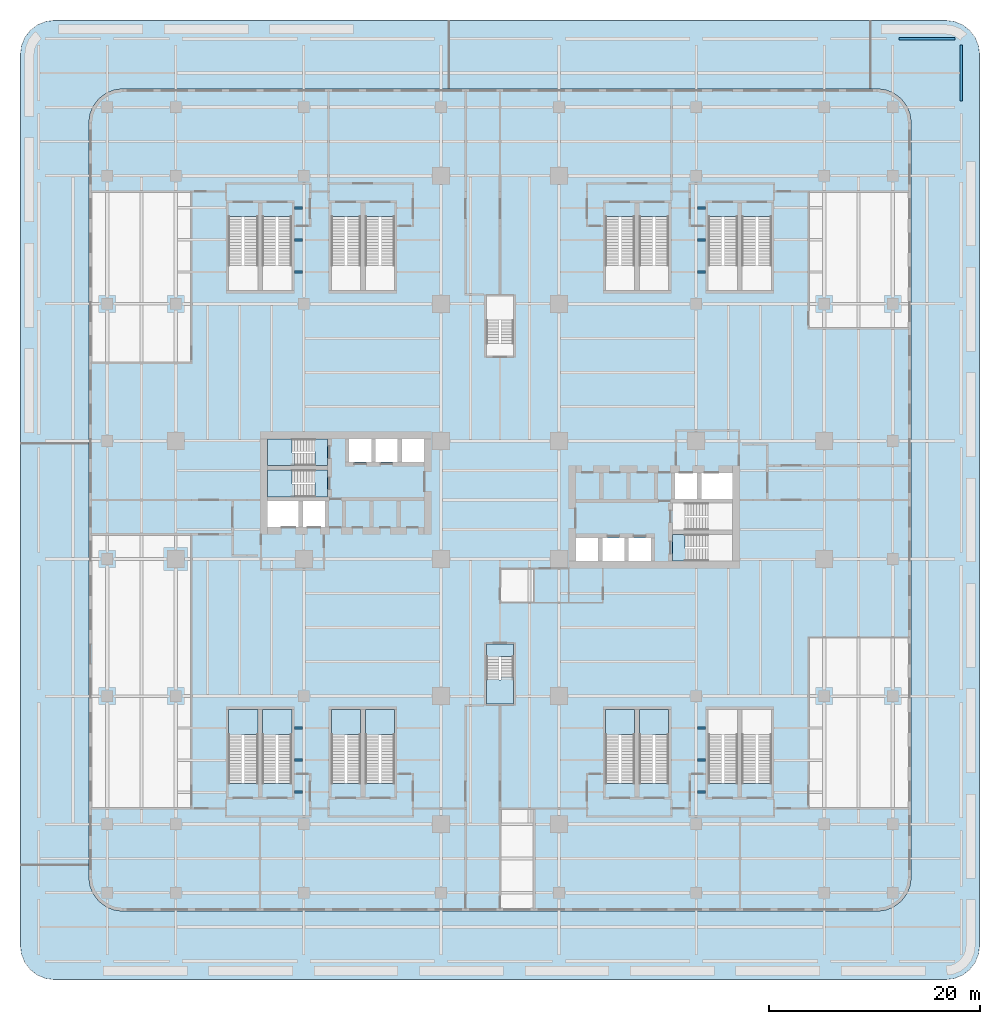
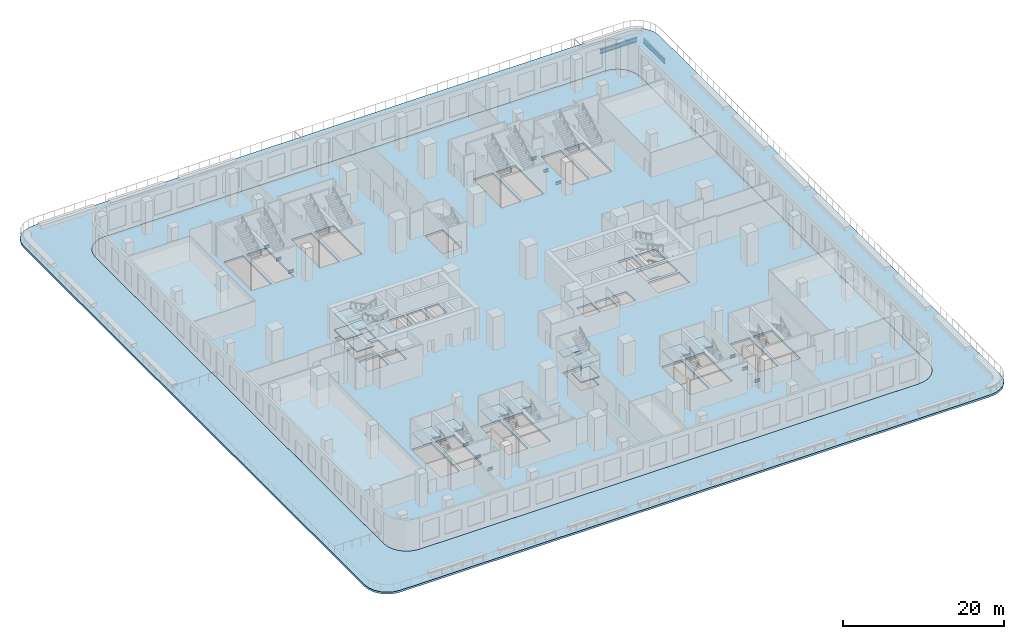
# One storey, part 4 of 18: 18 slabs, 14 beams, 10 elements without a shape of their own.
"""IFC4 building model written with IfcOpenShell, lengths in metres."""

from ifc_helpers import new_model, si_unit, direction, frame, origin, origin_2d, place, context, subcontext, project, spatial, polyline, i_section, outline, extrude, source, transform, mapped, material, layer, layer_set, material_profile, profile_set, type_object, element, aggregate, save


model = new_model("IFC4")

# Units and contexts
model_context = context("Model", 3, precision=1e-05, world=origin(), true_north=direction((0.0, 1.0)))
body_context = subcontext(model_context, "Body", "Model", "MODEL_VIEW")
ifc_project = project(units=[si_unit("LENGTHUNIT", "METRE"), si_unit("AREAUNIT", "SQUARE_METRE"), si_unit("VOLUMEUNIT", "CUBIC_METRE"), si_unit("PLANEANGLEUNIT", "RADIAN"), si_unit("MASSUNIT", "GRAM", prefix="KILO")], contexts=[model_context])

# Site, building, storey
site_placement = place(None, origin())
site = spatial("IfcSite", under=ifc_project, at=site_placement, CompositionType="ELEMENT")
building_placement = place(site_placement, origin())
building = spatial("IfcBuilding", under=site, at=building_placement, Name="Trellis Farm Tower", CompositionType="ELEMENT")
storey_placement = place(building_placement, frame((0.0, 0.0, 14.0)))
storey = spatial("IfcBuildingStorey", under=building, at=storey_placement, Name="L02", CompositionType="ELEMENT", Elevation=14.0)

# Beams
ifc_material_1 = material(Name="Steel S355", Category="steel")
ifc_material_profile_1 = material_profile(ifc_material_1, i_section(OverallWidth=0.253662109375, OverallDepth=0.68359375, WebThickness=0.012451171875, FlangeThickness=0.021728515625, FilletRadius=0.01513671875, at=origin_2d()), Name="UB 686x254x140")
ifc_profile_set_1 = profile_set([ifc_material_profile_1], Name="Steel S355")
beam_type_1 = type_object("IfcBeamType", Name="UB 686x254x140", PredefinedType="BEAM", material=ifc_profile_set_1)
shared_shape_1 = source(origin(), body_context, "Body", "SweptSolid", [
    extrude(i_section(OverallWidth=0.253662109375, OverallDepth=0.68359375, WebThickness=0.012451171875, FlangeThickness=0.021728515625, FilletRadius=0.01513671875, at=origin_2d()), origin(), (0.0, 0.0, 1.0), 5.2998046875),
])
for number, where, z_axis, x_axis, name in (
    (1, (37.85009765625, 43.75, -0.641845703125), (1.0, 0.0, 0.0), (0.0, 1.0, 0.0), "Girder"),
    (2, (43.75, 37.85009765625, -0.641845703125), (0.0, 1.0, 0.0), (-1.0, 0.0, 0.0), "Girder"),
):
    element("IfcBeam", number, at=place(storey_placement, frame(where, z_axis=z_axis, x_axis=x_axis)), inside=storey, type_object=beam_type_1, Name=name, PredefinedType="BEAM", context=body_context, shape_type="MappedRepresentation", body=[
        mapped(shared_shape_1, transform((0.0, 0.0, 0.0))),
    ])
ifc_material_profile_2 = material_profile(ifc_material_1, i_section(OverallWidth=0.1904296875, OverallDepth=0.45703125, WebThickness=0.009033203125, FlangeThickness=0.014404296875, FilletRadius=0.01025390625, at=origin_2d()), Name="UB 457x191x74")
ifc_profile_set_2 = profile_set([ifc_material_profile_2], Name="Steel S355")
beam_type_2 = type_object("IfcBeamType", Name="UB 457x191x74 joist", PredefinedType="JOIST", material=ifc_profile_set_2)
shared_shape_2 = source(origin(), body_context, "Body", "SweptSolid", [
    extrude(i_section(OverallWidth=0.1904296875, OverallDepth=0.45703125, WebThickness=0.009033203125, FlangeThickness=0.014404296875, FilletRadius=0.01025390625, at=origin_2d()), origin(), (0.0, 0.0, 1.0), 0.75390625),
])
for number, where, z_axis, x_axis, name in (
    (3, (-19.5, -27.71240234375, -0.528564453125), (1.0, 0.0, 0.0), (0.0, 1.0, 0.0), "Floor beam"),
    (4, (18.74609375, -27.71240234375, -0.528564453125), (1.0, 0.0, 0.0), (0.0, 1.0, 0.0), "Floor beam"),
    (5, (-19.5, -24.675048828125, -0.528564453125), (1.0, 0.0, 0.0), (0.0, 1.0, 0.0), "Floor beam"),
    (6, (18.74609375, -24.675048828125, -0.528564453125), (1.0, 0.0, 0.0), (0.0, 1.0, 0.0), "Floor beam"),
    (7, (-19.5, -21.637451171875, -0.528564453125), (1.0, 0.0, 0.0), (0.0, 1.0, 0.0), "Floor beam"),
    (8, (18.74609375, -21.637451171875, -0.528564453125), (1.0, 0.0, 0.0), (0.0, 1.0, 0.0), "Floor beam"),
    (9, (-19.5, 21.637451171875, -0.528564453125), (1.0, 0.0, 0.0), (0.0, 1.0, 0.0), "Floor beam"),
    (10, (18.74609375, 21.637451171875, -0.528564453125), (1.0, 0.0, 0.0), (0.0, 1.0, 0.0), "Floor beam"),
    (11, (-19.5, 24.675048828125, -0.528564453125), (1.0, 0.0, 0.0), (0.0, 1.0, 0.0), "Floor beam"),
    (12, (18.74609375, 24.675048828125, -0.528564453125), (1.0, 0.0, 0.0), (0.0, 1.0, 0.0), "Floor beam"),
    (13, (-19.5, 27.71240234375, -0.528564453125), (1.0, 0.0, 0.0), (0.0, 1.0, 0.0), "Floor beam"),
    (14, (18.74609375, 27.71240234375, -0.528564453125), (1.0, 0.0, 0.0), (0.0, 1.0, 0.0), "Floor beam"),
):
    element("IfcBeam", number, at=place(storey_placement, frame(where, z_axis=z_axis, x_axis=x_axis)), inside=storey, type_object=beam_type_2, Name=name, PredefinedType="JOIST", context=body_context, shape_type="MappedRepresentation", body=[
        mapped(shared_shape_2, transform((0.0, 0.0, 0.0))),
    ])

# Slabs
ifc_material_2 = material(Name="Concrete C40/50", Category="concrete")
ifc_layer_1 = layer(ifc_material_2, 0.300048828125)
ifc_layer_set_1 = layer_set([ifc_layer_1], Name="Terrace slab on composite deck 300")
slab_type_1 = type_object("IfcSlabType", Name="Terrace slab on composite deck 300", PredefinedType="FLOOR", material=ifc_layer_set_1)
placement_1 = place(storey_placement, frame((0.0, 0.0, -0.300048828125)))
element("IfcSlab", 15, at=placement_1, inside=storey, type_object=slab_type_1, Name="Terrace slab", PredefinedType="FLOOR", context=body_context, shape_type="SweptSolid", body=[
    extrude(outline(polyline([(45.0771484375, -43.844482421875), (45.04443359375, -43.901123046875), (44.568115234375, -44.52197265625), (44.52197265625, -44.568115234375), (43.901123046875, -45.04443359375), (43.844482421875, -45.0771484375), (43.12158203125, -45.376708984375), (43.05859375, -45.3935546875), (42.26611328125, -45.497802734375), (42.233642578125, -45.5), (-42.233642578125, -45.5), (-42.26611328125, -45.497802734375), (-43.05859375, -45.3935546875), (-43.12158203125, -45.376708984375), (-43.844482421875, -45.0771484375), (-43.901123046875, -45.04443359375), (-44.52197265625, -44.568115234375), (-44.568115234375, -44.52197265625), (-45.04443359375, -43.901123046875), (-45.0771484375, -43.844482421875), (-45.376708984375, -43.12158203125), (-45.3935546875, -43.05859375), (-45.497802734375, -42.26611328125), (-45.5, -42.233642578125), (-45.5, 42.233642578125), (-45.497802734375, 42.26611328125), (-45.3935546875, 43.05859375), (-45.376708984375, 43.12158203125), (-45.0771484375, 43.844482421875), (-45.04443359375, 43.901123046875), (-44.568115234375, 44.52197265625), (-44.52197265625, 44.568115234375), (-43.901123046875, 45.04443359375), (-43.844482421875, 45.0771484375), (-43.12158203125, 45.376708984375), (-43.05859375, 45.3935546875), (-42.26611328125, 45.497802734375), (-42.233642578125, 45.5), (42.233642578125, 45.5), (42.26611328125, 45.497802734375), (43.05859375, 45.3935546875), (43.12158203125, 45.376708984375), (43.844482421875, 45.0771484375), (43.901123046875, 45.04443359375), (44.52197265625, 44.568115234375), (44.568115234375, 44.52197265625), (45.04443359375, 43.901123046875), (45.0771484375, 43.844482421875), (45.376708984375, 43.12158203125), (45.3935546875, 43.05859375), (45.497802734375, 42.26611328125), (45.5, 42.233642578125), (45.5, -42.233642578125), (45.497802734375, -42.26611328125), (45.3935546875, -43.05859375), (45.376708984375, -43.12158203125), (45.0771484375, -43.844482421875)]), holes=[polyline([(38.889892578125, 36.59130859375), (38.565185546875, 37.375244140625), (38.048583984375, 38.048583984375), (37.375244140625, 38.565185546875), (36.59130859375, 38.889892578125), (35.75, 39.00048828125), (-35.75, 39.00048828125), (-36.59130859375, 38.889892578125), (-37.375244140625, 38.565185546875), (-38.048583984375, 38.048583984375), (-38.565185546875, 37.375244140625), (-38.889892578125, 36.59130859375), (-39.00048828125, 35.75), (-39.00048828125, -35.75), (-38.889892578125, -36.59130859375), (-38.565185546875, -37.375244140625), (-38.048583984375, -38.048583984375), (-37.375244140625, -38.565185546875), (-36.59130859375, -38.889892578125), (-35.75, -39.00048828125), (35.75, -39.00048828125), (36.59130859375, -38.889892578125), (37.375244140625, -38.565185546875), (38.048583984375, -38.048583984375), (38.565185546875, -37.375244140625), (38.889892578125, -36.59130859375), (39.00048828125, -35.75), (39.00048828125, 35.75), (38.889892578125, 36.59130859375)])]), origin(), (0.0, 0.0, 1.0), 0.300048828125),
])
ifc_layer_2 = layer(ifc_material_2, 0.300048828125)
ifc_layer_set_2 = layer_set([ifc_layer_2], Name="Composite deck floor slab 300")
slab_type_2 = type_object("IfcSlabType", Name="Composite deck floor slab 300", PredefinedType="FLOOR", material=ifc_layer_set_2)
shared_shape_3 = source(origin(), body_context, "Body", "SweptSolid", [
    extrude(outline(polyline([(38.889404296875, -36.59130859375), (38.564697265625, -37.375), (38.048095703125, -38.048095703125), (37.375, -38.564697265625), (36.59130859375, -38.889404296875), (35.75, -39.0), (-35.75, -39.0), (-36.59130859375, -38.889404296875), (-37.375, -38.564697265625), (-38.048095703125, -38.048095703125), (-38.564697265625, -37.375), (-38.889404296875, -36.59130859375), (-39.0, -35.75), (-39.0, 35.75), (-38.889404296875, 36.59130859375), (-38.564697265625, 37.375), (-38.048095703125, 38.048095703125), (-37.375, 38.564697265625), (-36.59130859375, 38.889404296875), (-35.75, 39.0), (35.75, 39.0), (36.59130859375, 38.889404296875), (37.375, 38.564697265625), (38.048095703125, 38.048095703125), (38.564697265625, 37.375), (38.889404296875, 36.59130859375), (39.0, 35.75), (39.0, -35.75), (38.889404296875, -36.59130859375)]), holes=[polyline([(-24.219970703125, -26.89990234375), (-24.219970703125, -26.887939453125), (-22.969970703125, -26.887939453125), (-22.969970703125, -19.85009765625), (-25.75, -19.85009765625), (-25.75, -26.889892578125), (-24.5, -26.889892578125), (-24.5, -26.89990234375), (-24.219970703125, -26.89990234375)]), polyline([(-21.0, -26.89990234375), (-21.0, -26.887939453125), (-19.75, -26.887939453125), (-19.75, -19.85009765625), (-22.530029296875, -19.85009765625), (-22.530029296875, -26.889892578125), (-21.280029296875, -26.889892578125), (-21.280029296875, -26.89990234375), (-21.0, -26.89990234375)]), polyline([(-14.469970703125, -26.89990234375), (-14.469970703125, -26.887939453125), (-13.219970703125, -26.887939453125), (-13.219970703125, -19.85009765625), (-16.0, -19.85009765625), (-16.0, -26.889892578125), (-14.75, -26.889892578125), (-14.75, -26.89990234375), (-14.469970703125, -26.89990234375)]), polyline([(-11.25, -26.89990234375), (-11.25, -26.887939453125), (-10.0, -26.887939453125), (-10.0, -19.85009765625), (-12.780029296875, -19.85009765625), (-12.780029296875, -26.889892578125), (-11.530029296875, -26.889892578125), (-11.530029296875, -26.89990234375), (-11.25, -26.89990234375)]), polyline([(-0.10009765625, -14.85009765625), (-0.10009765625, -14.862060546875), (-1.300048828125, -14.862060546875), (-1.300048828125, -19.35009765625), (1.300048828125, -19.35009765625), (1.300048828125, -14.860107421875), (0.10009765625, -14.860107421875), (0.10009765625, -14.85009765625), (-0.10009765625, -14.85009765625)]), polyline([(-19.10009765625, -0.10009765625), (-22.050048828125, -0.10009765625), (-22.050048828125, -2.550048828125), (-19.10009765625, -2.550048828125), (-19.10009765625, -0.10009765625)]), polyline([(-16.60009765625, -0.10009765625), (-18.699951171875, -0.10009765625), (-18.699951171875, -2.550048828125), (-16.60009765625, -2.550048828125), (-16.60009765625, -0.10009765625)]), polyline([(-17.550048828125, 1.64990234375), (-17.56201171875, 1.64990234375), (-17.56201171875, 2.85009765625), (-22.050048828125, 2.85009765625), (-22.050048828125, 0.300048828125), (-17.56005859375, 0.300048828125), (-17.56005859375, 1.5), (-17.550048828125, 1.5), (-17.550048828125, 1.64990234375)]), polyline([(-17.550048828125, 4.60009765625), (-17.56201171875, 4.60009765625), (-17.56201171875, 5.800048828125), (-22.050048828125, 5.800048828125), (-22.050048828125, 3.25), (-17.56005859375, 3.25), (-17.56005859375, 4.449951171875), (-17.550048828125, 4.449951171875), (-17.550048828125, 4.60009765625)]), polyline([(-12.199951171875, 5.800048828125), (-14.300048828125, 5.800048828125), (-14.300048828125, 3.60009765625), (-12.199951171875, 3.60009765625), (-12.199951171875, 5.800048828125)]), polyline([(-9.699951171875, 5.800048828125), (-11.800048828125, 5.800048828125), (-11.800048828125, 3.60009765625), (-9.699951171875, 3.60009765625), (-9.699951171875, 5.800048828125)]), polyline([(-7.199951171875, 5.800048828125), (-9.300048828125, 5.800048828125), (-9.300048828125, 3.60009765625), (-7.199951171875, 3.60009765625), (-7.199951171875, 5.800048828125)]), polyline([(-24.5, 26.89990234375), (-24.5, 26.887939453125), (-25.75, 26.887939453125), (-25.75, 19.85009765625), (-22.969970703125, 19.85009765625), (-22.969970703125, 26.889892578125), (-24.219970703125, 26.889892578125), (-24.219970703125, 26.89990234375), (-24.5, 26.89990234375)]), polyline([(-21.280029296875, 26.89990234375), (-21.280029296875, 26.887939453125), (-22.530029296875, 26.887939453125), (-22.530029296875, 19.85009765625), (-19.75, 19.85009765625), (-19.75, 26.889892578125), (-21.0, 26.889892578125), (-21.0, 26.89990234375), (-21.280029296875, 26.89990234375)]), polyline([(-14.75, 26.89990234375), (-14.75, 26.887939453125), (-16.0, 26.887939453125), (-16.0, 19.85009765625), (-13.219970703125, 19.85009765625), (-13.219970703125, 26.889892578125), (-14.469970703125, 26.889892578125), (-14.469970703125, 26.89990234375), (-14.75, 26.89990234375)]), polyline([(-11.530029296875, 26.89990234375), (-11.530029296875, 26.887939453125), (-12.780029296875, 26.887939453125), (-12.780029296875, 19.85009765625), (-10.0, 19.85009765625), (-10.0, 26.889892578125), (-11.25, 26.889892578125), (-11.25, 26.89990234375), (-11.530029296875, 26.89990234375)]), polyline([(11.530029296875, -26.89990234375), (11.530029296875, -26.887939453125), (12.780029296875, -26.887939453125), (12.780029296875, -19.85009765625), (10.0, -19.85009765625), (10.0, -26.889892578125), (11.25, -26.889892578125), (11.25, -26.89990234375), (11.530029296875, -26.89990234375)]), polyline([(14.75, -26.89990234375), (14.75, -26.887939453125), (16.0, -26.887939453125), (16.0, -19.85009765625), (13.219970703125, -19.85009765625), (13.219970703125, -26.889892578125), (14.469970703125, -26.889892578125), (14.469970703125, -26.89990234375), (14.75, -26.89990234375)]), polyline([(21.280029296875, -26.89990234375), (21.280029296875, -26.887939453125), (22.530029296875, -26.887939453125), (22.530029296875, -19.85009765625), (19.75, -19.85009765625), (19.75, -26.889892578125), (21.0, -26.889892578125), (21.0, -26.89990234375), (21.280029296875, -26.89990234375)]), polyline([(24.5, -26.89990234375), (24.5, -26.887939453125), (25.75, -26.887939453125), (25.75, -19.85009765625), (22.969970703125, -19.85009765625), (22.969970703125, -26.889892578125), (24.219970703125, -26.889892578125), (24.219970703125, -26.89990234375), (24.5, -26.89990234375)]), polyline([(7.199951171875, -5.800048828125), (9.300048828125, -5.800048828125), (9.300048828125, -3.60009765625), (7.199951171875, -3.60009765625), (7.199951171875, -5.800048828125)]), polyline([(9.699951171875, -5.800048828125), (11.800048828125, -5.800048828125), (11.800048828125, -3.60009765625), (9.699951171875, -3.60009765625), (9.699951171875, -5.800048828125)]), polyline([(12.199951171875, -5.800048828125), (14.300048828125, -5.800048828125), (14.300048828125, -3.60009765625), (12.199951171875, -3.60009765625), (12.199951171875, -5.800048828125)]), polyline([(17.550048828125, -4.60009765625), (17.56201171875, -4.60009765625), (17.56201171875, -5.800048828125), (22.050048828125, -5.800048828125), (22.050048828125, -3.25), (17.56005859375, -3.25), (17.56005859375, -4.449951171875), (17.550048828125, -4.449951171875), (17.550048828125, -4.60009765625)]), polyline([(17.550048828125, -1.64990234375), (17.56201171875, -1.64990234375), (17.56201171875, -2.85009765625), (22.050048828125, -2.85009765625), (22.050048828125, -0.300048828125), (17.56005859375, -0.300048828125), (17.56005859375, -1.5), (17.550048828125, -1.5), (17.550048828125, -1.64990234375)]), polyline([(16.60009765625, 0.10009765625), (18.699951171875, 0.10009765625), (18.699951171875, 2.550048828125), (16.60009765625, 2.550048828125), (16.60009765625, 0.10009765625)]), polyline([(19.10009765625, 0.10009765625), (22.050048828125, 0.10009765625), (22.050048828125, 2.550048828125), (19.10009765625, 2.550048828125), (19.10009765625, 0.10009765625)]), polyline([(0.10009765625, 14.85009765625), (0.10009765625, 14.862060546875), (1.300048828125, 14.862060546875), (1.300048828125, 19.35009765625), (-1.300048828125, 19.35009765625), (-1.300048828125, 14.860107421875), (-0.10009765625, 14.860107421875), (-0.10009765625, 14.85009765625), (0.10009765625, 14.85009765625)]), polyline([(11.25, 26.89990234375), (11.25, 26.887939453125), (10.0, 26.887939453125), (10.0, 19.85009765625), (12.780029296875, 19.85009765625), (12.780029296875, 26.889892578125), (11.530029296875, 26.889892578125), (11.530029296875, 26.89990234375), (11.25, 26.89990234375)]), polyline([(14.469970703125, 26.89990234375), (14.469970703125, 26.887939453125), (13.219970703125, 26.887939453125), (13.219970703125, 19.85009765625), (16.0, 19.85009765625), (16.0, 26.889892578125), (14.75, 26.889892578125), (14.75, 26.89990234375), (14.469970703125, 26.89990234375)]), polyline([(21.0, 26.89990234375), (21.0, 26.887939453125), (19.75, 26.887939453125), (19.75, 19.85009765625), (22.530029296875, 19.85009765625), (22.530029296875, 26.889892578125), (21.280029296875, 26.889892578125), (21.280029296875, 26.89990234375), (21.0, 26.89990234375)]), polyline([(24.219970703125, 26.89990234375), (24.219970703125, 26.887939453125), (22.969970703125, 26.887939453125), (22.969970703125, 19.85009765625), (25.75, 19.85009765625), (25.75, 26.889892578125), (24.5, 26.889892578125), (24.5, 26.89990234375), (24.219970703125, 26.89990234375)])]), origin(), (0.0, 0.0, 1.0), 0.300048828125),
])
element("IfcSlab", 16, at=placement_1, inside=storey, type_object=slab_type_2, Name="Floor slab", PredefinedType="FLOOR", context=body_context, shape_type="MappedRepresentation", body=[
    mapped(shared_shape_3, transform((0.0, 0.0, 0.0))),
])

# Stair, slabs
ifc_material_3 = material(Name="Concrete C50/60", Category="concrete")
stair_type_1 = type_object("IfcStairType", Name="CORE EXIT STAIR 36 RISERS 139 MM", PredefinedType="HALF_TURN_STAIR", material=ifc_material_3)
placement_2 = place(storey_placement, origin())
stair_1 = element("IfcStair", 17, at=placement_2, inside=storey, type_object=stair_type_1, Name="Exit stair S", PredefinedType="HALF_TURN_STAIR")
ifc_layer_3 = layer(ifc_material_3, 0.14990234375)
ifc_layer_set_3 = layer_set([ifc_layer_3], Name="CORE STAIR LANDING 150 CONCRETE C50/60")
slab_type_3 = type_object("IfcSlabType", Name="CORE STAIR LANDING 150 CONCRETE C50/60", PredefinedType="LANDING", material=ifc_layer_set_3)
shared_shape_4 = source(origin(), body_context, "Body", "SweptSolid", [
    extrude(outline(polyline([(1.300048828125, -19.35009765625), (-1.300048828125, -19.35009765625), (-1.300048828125, -17.050048828125), (-1.300048828125, -17.0400390625), (-0.10009765625, -17.0400390625), (-0.10009765625, -17.050048828125), (0.10009765625, -17.050048828125), (0.10009765625, -16.79052734375), (1.300048828125, -16.79052734375), (1.300048828125, -17.050048828125), (1.300048828125, -19.35009765625)])), origin(), (0.0, 0.0, 1.0), 0.14990234375),
])
placement_3 = place(storey_placement, frame((0.0, 0.0, 1.10009765625)))
slab_3 = element("IfcSlab", 18, at=placement_3, type_object=slab_type_3, Name="STS landing 1", PredefinedType="LANDING", context=body_context, shape_type="MappedRepresentation", body=[
    mapped(shared_shape_4, transform((0.0, 0.0, 0.0))),
])
placement_4 = place(storey_placement, frame((0.0, 0.0, 3.60009765625)))
slab_4 = element("IfcSlab", 19, at=placement_4, type_object=slab_type_3, Name="STS landing 3", PredefinedType="LANDING", context=body_context, shape_type="MappedRepresentation", body=[
    mapped(shared_shape_4, transform((0.0, 0.0, 0.0))),
])
shared_shape_5 = source(origin(), body_context, "Body", "SweptSolid", [
    extrude(outline(polyline([(-0.10009765625, -15.109375), (-1.300048828125, -15.109375), (-1.300048828125, -14.85009765625), (-1.300048828125, -13.64990234375), (1.300048828125, -13.64990234375), (1.300048828125, -14.85009765625), (1.300048828125, -14.860107421875), (0.10009765625, -14.860107421875), (0.10009765625, -14.85009765625), (-0.10009765625, -14.85009765625), (-0.10009765625, -15.109375)])), origin(), (0.0, 0.0, 1.0), 0.14990234375),
])
placement_5 = place(storey_placement, frame((0.0, 0.0, 2.35009765625)))
slab_5 = element("IfcSlab", 20, at=placement_5, type_object=slab_type_3, Name="STS landing 2", PredefinedType="LANDING", context=body_context, shape_type="MappedRepresentation", body=[
    mapped(shared_shape_5, transform((0.0, 0.0, 0.0))),
])
aggregate(stair_1, [slab_3, slab_5, slab_4])

# Stair, slab
stair_2 = element("IfcStair", 21, at=placement_2, inside=storey, type_object=stair_type_1, Name="Exit stair E1", PredefinedType="HALF_TURN_STAIR")
shared_shape_6 = source(origin(), body_context, "Body", "SweptSolid", [
    extrude(outline(polyline([(17.809326171875, -4.60009765625), (17.809326171875, -5.800048828125), (17.550048828125, -5.800048828125), (16.35009765625, -5.800048828125), (16.35009765625, -3.25), (17.550048828125, -3.25), (17.56005859375, -3.25), (17.56005859375, -4.449951171875), (17.550048828125, -4.449951171875), (17.550048828125, -4.60009765625), (17.809326171875, -4.60009765625)])), origin(), (0.0, 0.0, 1.0), 0.14990234375),
])
slab_6 = element("IfcSlab", 22, at=placement_5, type_object=slab_type_3, Name="STE1 landing 2", PredefinedType="LANDING", context=body_context, shape_type="MappedRepresentation", body=[
    mapped(shared_shape_6, transform((0.0, 0.0, 0.0))),
])
aggregate(stair_2, [slab_6])

stair_type_2 = type_object("IfcStairType", Name="PODIUM EXIT STAIR 36 RISERS 139 MM 1250 WIDE", PredefinedType="HALF_TURN_STAIR", material=ifc_material_3)
stair_3 = element("IfcStair", 23, at=placement_2, inside=storey, type_object=stair_type_2, Name="Podium exit stair STP5A", PredefinedType="HALF_TURN_STAIR")
shared_shape_7 = source(origin(), body_context, "Body", "SweptSolid", [
    extrude(outline(polyline([(-24.5, -22.793701171875), (-25.75, -22.793701171875), (-25.75, -22.22509765625), (-25.75, -19.85009765625), (-22.969970703125, -19.85009765625), (-22.969970703125, -22.22509765625), (-22.969970703125, -22.235107421875), (-24.219970703125, -22.235107421875), (-24.219970703125, -22.22509765625), (-24.5, -22.22509765625), (-24.5, -22.793701171875)])), origin(), (0.0, 0.0, 1.0), 0.14990234375),
])
slab_7 = element("IfcSlab", 24, at=placement_5, type_object=slab_type_3, Name="STP5A landing 1", PredefinedType="LANDING", context=body_context, shape_type="MappedRepresentation", body=[
    mapped(shared_shape_7, transform((0.0, 0.0, 0.0))),
])
aggregate(stair_3, [slab_7])

stair_4 = element("IfcStair", 25, at=placement_2, inside=storey, type_object=stair_type_2, Name="Podium exit stair STP5B", PredefinedType="HALF_TURN_STAIR")
shared_shape_8 = source(origin(), body_context, "Body", "SweptSolid", [
    extrude(outline(polyline([(-21.280029296875, -22.793701171875), (-22.530029296875, -22.793701171875), (-22.530029296875, -22.22509765625), (-22.530029296875, -19.85009765625), (-19.75, -19.85009765625), (-19.75, -22.22509765625), (-19.75, -22.235107421875), (-21.0, -22.235107421875), (-21.0, -22.22509765625), (-21.280029296875, -22.22509765625), (-21.280029296875, -22.793701171875)])), origin(), (0.0, 0.0, 1.0), 0.14990234375),
])
slab_8 = element("IfcSlab", 26, at=placement_5, type_object=slab_type_3, Name="STP5B landing 1", PredefinedType="LANDING", context=body_context, shape_type="MappedRepresentation", body=[
    mapped(shared_shape_8, transform((0.0, 0.0, 0.0))),
])
aggregate(stair_4, [slab_8])

stair_5 = element("IfcStair", 27, at=placement_2, inside=storey, type_object=stair_type_2, Name="Podium exit stair STP6A", PredefinedType="HALF_TURN_STAIR")
shared_shape_9 = source(origin(), body_context, "Body", "SweptSolid", [
    extrude(outline(polyline([(-14.75, -22.793701171875), (-16.0, -22.793701171875), (-16.0, -22.22509765625), (-16.0, -19.85009765625), (-13.219970703125, -19.85009765625), (-13.219970703125, -22.22509765625), (-13.219970703125, -22.235107421875), (-14.469970703125, -22.235107421875), (-14.469970703125, -22.22509765625), (-14.75, -22.22509765625), (-14.75, -22.793701171875)])), origin(), (0.0, 0.0, 1.0), 0.14990234375),
])
slab_9 = element("IfcSlab", 28, at=placement_5, type_object=slab_type_3, Name="STP6A landing 1", PredefinedType="LANDING", context=body_context, shape_type="MappedRepresentation", body=[
    mapped(shared_shape_9, transform((0.0, 0.0, 0.0))),
])
aggregate(stair_5, [slab_9])

stair_6 = element("IfcStair", 29, at=placement_2, inside=storey, type_object=stair_type_2, Name="Podium exit stair STP6B", PredefinedType="HALF_TURN_STAIR")
shared_shape_10 = source(origin(), body_context, "Body", "SweptSolid", [
    extrude(outline(polyline([(-11.530029296875, -22.793701171875), (-12.780029296875, -22.793701171875), (-12.780029296875, -22.22509765625), (-12.780029296875, -19.85009765625), (-10.0, -19.85009765625), (-10.0, -22.22509765625), (-10.0, -22.235107421875), (-11.25, -22.235107421875), (-11.25, -22.22509765625), (-11.530029296875, -22.22509765625), (-11.530029296875, -22.793701171875)])), origin(), (0.0, 0.0, 1.0), 0.14990234375),
])
slab_10 = element("IfcSlab", 30, at=placement_5, type_object=slab_type_3, Name="STP6B landing 1", PredefinedType="LANDING", context=body_context, shape_type="MappedRepresentation", body=[
    mapped(shared_shape_10, transform((0.0, 0.0, 0.0))),
])
aggregate(stair_6, [slab_10])

stair_7 = element("IfcStair", 31, at=placement_2, inside=storey, type_object=stair_type_2, Name="Podium exit stair STP7A", PredefinedType="HALF_TURN_STAIR")
shared_shape_11 = source(origin(), body_context, "Body", "SweptSolid", [
    extrude(outline(polyline([(11.25, -22.793701171875), (10.0, -22.793701171875), (10.0, -22.22509765625), (10.0, -19.85009765625), (12.780029296875, -19.85009765625), (12.780029296875, -22.22509765625), (12.780029296875, -22.235107421875), (11.530029296875, -22.235107421875), (11.530029296875, -22.22509765625), (11.25, -22.22509765625), (11.25, -22.793701171875)])), origin(), (0.0, 0.0, 1.0), 0.14990234375),
])
slab_11 = element("IfcSlab", 32, at=placement_5, type_object=slab_type_3, Name="STP7A landing 1", PredefinedType="LANDING", context=body_context, shape_type="MappedRepresentation", body=[
    mapped(shared_shape_11, transform((0.0, 0.0, 0.0))),
])
aggregate(stair_7, [slab_11])

stair_8 = element("IfcStair", 33, at=placement_2, inside=storey, type_object=stair_type_2, Name="Podium exit stair STP7B", PredefinedType="HALF_TURN_STAIR")
shared_shape_12 = source(origin(), body_context, "Body", "SweptSolid", [
    extrude(outline(polyline([(14.469970703125, -22.793701171875), (13.219970703125, -22.793701171875), (13.219970703125, -22.22509765625), (13.219970703125, -19.85009765625), (16.0, -19.85009765625), (16.0, -22.22509765625), (16.0, -22.235107421875), (14.75, -22.235107421875), (14.75, -22.22509765625), (14.469970703125, -22.22509765625), (14.469970703125, -22.793701171875)])), origin(), (0.0, 0.0, 1.0), 0.14990234375),
])
slab_12 = element("IfcSlab", 34, at=placement_5, type_object=slab_type_3, Name="STP7B landing 1", PredefinedType="LANDING", context=body_context, shape_type="MappedRepresentation", body=[
    mapped(shared_shape_12, transform((0.0, 0.0, 0.0))),
])
aggregate(stair_8, [slab_12])

# Stair, slabs
stair_9 = element("IfcStair", 35, at=placement_2, inside=storey, type_object=stair_type_1, Name="Exit stair W1", PredefinedType="HALF_TURN_STAIR")
shared_shape_13 = source(origin(), body_context, "Body", "SweptSolid", [
    extrude(outline(polyline([(-19.49072265625, 4.449951171875), (-19.49072265625, 3.25), (-19.75, 3.25), (-22.050048828125, 3.25), (-22.050048828125, 5.800048828125), (-19.75, 5.800048828125), (-19.739990234375, 5.800048828125), (-19.739990234375, 4.60009765625), (-19.75, 4.60009765625), (-19.75, 4.449951171875), (-19.49072265625, 4.449951171875)])), origin(), (0.0, 0.0, 1.0), 0.14990234375),
])
slab_13 = element("IfcSlab", 36, at=placement_3, type_object=slab_type_3, Name="STW1 landing 1", PredefinedType="LANDING", context=body_context, shape_type="MappedRepresentation", body=[
    mapped(shared_shape_13, transform((0.0, 0.0, 0.0))),
])
slab_14 = element("IfcSlab", 37, at=placement_4, type_object=slab_type_3, Name="STW1 landing 3", PredefinedType="LANDING", context=body_context, shape_type="MappedRepresentation", body=[
    mapped(shared_shape_13, transform((0.0, 0.0, 0.0))),
])
shared_shape_14 = source(origin(), body_context, "Body", "SweptSolid", [
    extrude(outline(polyline([(-17.56005859375, 3.25), (-17.56005859375, 4.449951171875), (-17.550048828125, 4.449951171875), (-17.550048828125, 4.60009765625), (-17.809326171875, 4.60009765625), (-17.809326171875, 5.800048828125), (-17.550048828125, 5.800048828125), (-16.35009765625, 5.800048828125), (-16.35009765625, 3.25), (-17.550048828125, 3.25), (-17.56005859375, 3.25)])), origin(), (0.0, 0.0, 1.0), 0.14990234375),
])
slab_15 = element("IfcSlab", 38, at=placement_5, type_object=slab_type_3, Name="STW1 landing 2", PredefinedType="LANDING", context=body_context, shape_type="MappedRepresentation", body=[
    mapped(shared_shape_14, transform((0.0, 0.0, 0.0))),
])
aggregate(stair_9, [slab_13, slab_15, slab_14])

stair_10 = element("IfcStair", 39, at=placement_2, inside=storey, type_object=stair_type_1, Name="Exit stair W2", PredefinedType="HALF_TURN_STAIR")
shared_shape_15 = source(origin(), body_context, "Body", "SweptSolid", [
    extrude(outline(polyline([(-19.49072265625, 1.5), (-19.49072265625, 0.300048828125), (-19.75, 0.300048828125), (-22.050048828125, 0.300048828125), (-22.050048828125, 2.85009765625), (-19.75, 2.85009765625), (-19.739990234375, 2.85009765625), (-19.739990234375, 1.64990234375), (-19.75, 1.64990234375), (-19.75, 1.5), (-19.49072265625, 1.5)])), origin(), (0.0, 0.0, 1.0), 0.14990234375),
])
slab_16 = element("IfcSlab", 40, at=placement_3, type_object=slab_type_3, Name="STW2 landing 1", PredefinedType="LANDING", context=body_context, shape_type="MappedRepresentation", body=[
    mapped(shared_shape_15, transform((0.0, 0.0, 0.0))),
])
slab_17 = element("IfcSlab", 41, at=placement_4, type_object=slab_type_3, Name="STW2 landing 3", PredefinedType="LANDING", context=body_context, shape_type="MappedRepresentation", body=[
    mapped(shared_shape_15, transform((0.0, 0.0, 0.0))),
])
shared_shape_16 = source(origin(), body_context, "Body", "SweptSolid", [
    extrude(outline(polyline([(-17.56005859375, 0.300048828125), (-17.56005859375, 1.5), (-17.550048828125, 1.5), (-17.550048828125, 1.64990234375), (-17.809326171875, 1.64990234375), (-17.809326171875, 2.85009765625), (-17.550048828125, 2.85009765625), (-16.35009765625, 2.85009765625), (-16.35009765625, 0.300048828125), (-17.550048828125, 0.300048828125), (-17.56005859375, 0.300048828125)])), origin(), (0.0, 0.0, 1.0), 0.14990234375),
])
slab_18 = element("IfcSlab", 42, at=placement_5, type_object=slab_type_3, Name="STW2 landing 2", PredefinedType="LANDING", context=body_context, shape_type="MappedRepresentation", body=[
    mapped(shared_shape_16, transform((0.0, 0.0, 0.0))),
])
aggregate(stair_10, [slab_16, slab_18, slab_17])

save(model, "model.ifc")
